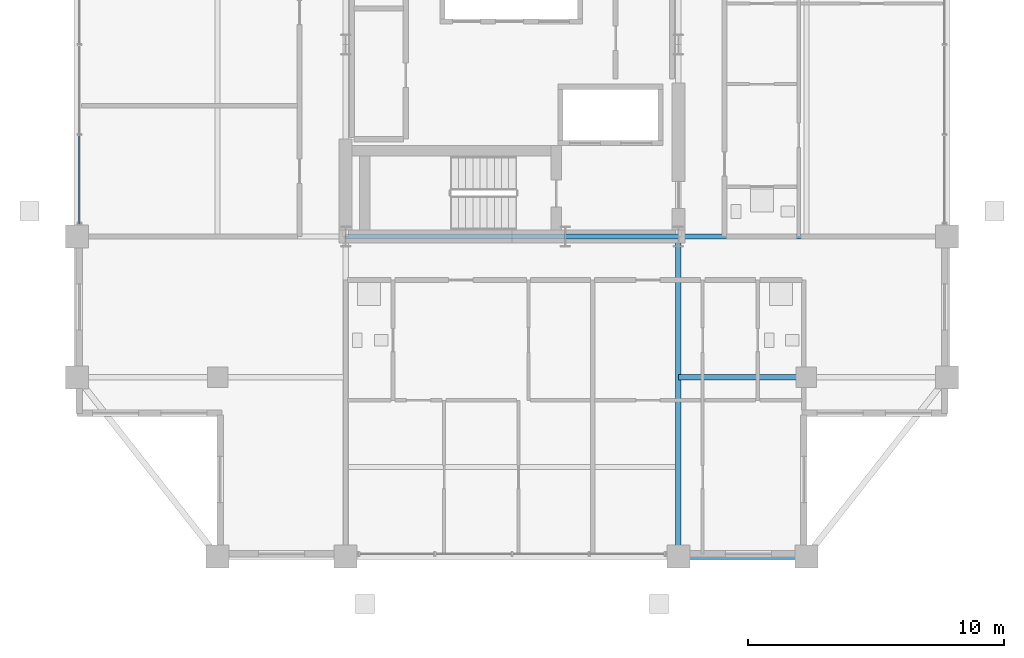
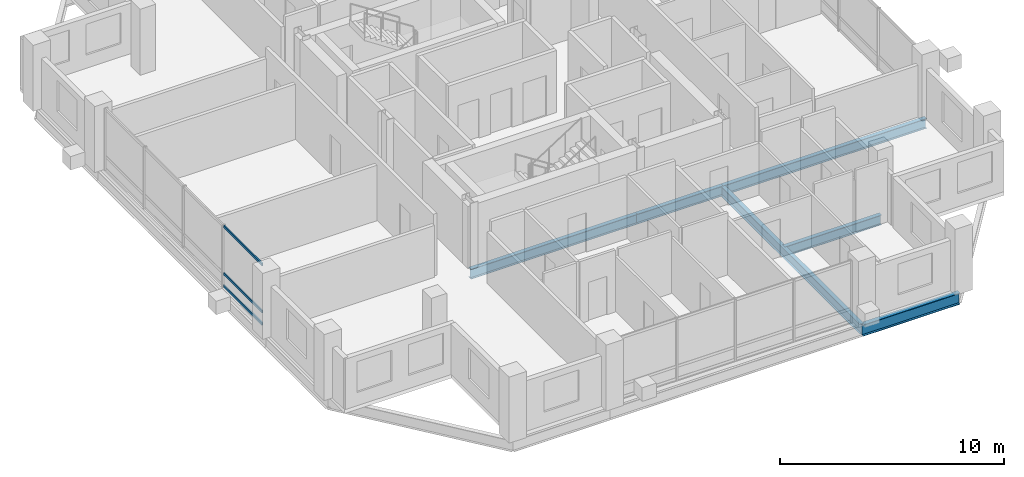
# One storey, part 5 of 21: 6 beams, 3 members, 1 element without a shape of its own.
"""IFC4 building model written with IfcOpenShell, lengths in metres."""

import ifcopenshell
import ifcopenshell.guid

model = None  # the IFC model being written
_history = None  # IfcOwnerHistory: only IFC2X3 demands one
_inside = {}  # id of a spatial element -> (the spatial element, [elements in it])
_under = {}  # id of a project, library or spatial element -> (it, [spatial elements below it])
_declared = {}  # id of a project -> (the project, [libraries it declares])
_typed = {}  # id of a type object -> (the type object, [elements of that type])
_made_of = {}  # id of a material, layer set ... -> (it, [elements and type objects made of it])


def new_model(schema):
    """Start an empty IFC model of exactly this schema.

    Asked for "IFC4X3", IfcOpenShell would pick the latest addendum, in which some entities
    have other attributes; the version numbers below select the first issue.
    IFC2X3 requires an IfcOwnerHistory on every rooted entity: one is made here for all.
    """
    global model, _history
    if schema == "IFC4X3":
        model = ifcopenshell.file(schema_version=(4, 3, 0, 0))
    else:
        model = ifcopenshell.file(schema=schema)
    _inside.clear()
    _under.clear()
    _declared.clear()
    _typed.clear()
    _made_of.clear()
    _history = None
    if model.schema == "IFC2X3":
        org = make("IfcOrganization", Name="unknown")
        user = make(
            "IfcPersonAndOrganization",
            ThePerson=make("IfcPerson", FamilyName="unknown"),
            TheOrganization=org,
        )
        app = make(
            "IfcApplication",
            ApplicationDeveloper=org,
            Version="unknown",
            ApplicationFullName="unknown",
            ApplicationIdentifier="unknown",
        )
        _history = make(
            "IfcOwnerHistory",
            OwningUser=user,
            OwningApplication=app,
            ChangeAction="ADDED",
            CreationDate=0,
        )
    return model


def make(cls, **values):
    """One entity of the class cls with the attributes given. An attribute that is None is left unset."""
    return model.create_entity(
        cls, **{name: value for name, value in values.items() if value is not None}
    )


def rooted(cls, **values):
    """An entity with a GlobalId (a new one), such as an element, a storey or a relation."""
    return make(cls, GlobalId=ifcopenshell.guid.new(), OwnerHistory=_history, **values)


def si_unit(unit_type, name, prefix=None):
    """IfcSIUnit, for example si_unit("LENGTHUNIT", "METRE", prefix="MILLI")."""
    return make("IfcSIUnit", UnitType=unit_type, Prefix=prefix, Name=name)


def assignment(units):
    """IfcUnitAssignment: the units of a project."""
    return None if units is None else make("IfcUnitAssignment", Units=units)


def point(xyz):
    """IfcCartesianPoint."""
    return None if xyz is None else make("IfcCartesianPoint", Coordinates=xyz)


def direction(xyz):
    """IfcDirection."""
    return None if xyz is None else make("IfcDirection", DirectionRatios=xyz)


def frame(location, z_axis=None, x_axis=None):
    """IfcAxis2Placement3D, a coordinate frame: its origin and axes. An axis left out is left unset."""
    return make(
        "IfcAxis2Placement3D",
        Location=point(location),
        Axis=direction(z_axis),
        RefDirection=direction(x_axis),
    )


def frame_2d(location, x_axis=None):
    """IfcAxis2Placement2D, a coordinate frame in the plane: its origin and x axis."""
    return make(
        "IfcAxis2Placement2D", Location=point(location), RefDirection=direction(x_axis)
    )


def origin():
    """The frame at (0, 0, 0) with its axes left unset."""
    return frame((0.0, 0.0, 0.0))


def origin_2d():
    """The frame at (0, 0) in the plane with its x axis left unset."""
    return frame_2d((0.0, 0.0))


def place(relative_to, where):
    """IfcLocalPlacement: puts the frame where relative to a parent placement (None: the world)."""
    return make(
        "IfcLocalPlacement", PlacementRelTo=relative_to, RelativePlacement=where
    )


def context(
    kind, dimensions, precision=None, world=None, true_north=None, identifier=None
):
    """IfcGeometricRepresentationContext, for example the 3D "Model" context."""
    return make(
        "IfcGeometricRepresentationContext",
        ContextIdentifier=identifier,
        ContextType=kind,
        CoordinateSpaceDimension=dimensions,
        Precision=precision,
        WorldCoordinateSystem=world,
        TrueNorth=true_north,
    )


def subcontext(parent, identifier, kind, view, scale=None):
    """IfcGeometricRepresentationSubContext, for example "Body" below "Model"."""
    return make(
        "IfcGeometricRepresentationSubContext",
        ContextIdentifier=identifier,
        ContextType=kind,
        ParentContext=parent,
        TargetScale=scale,
        TargetView=view,
    )


def project(units=None, contexts=None):
    """IfcProject with its units and contexts."""
    return rooted(
        "IfcProject",
        Name="project",
        RepresentationContexts=contexts,
        UnitsInContext=assignment(units),
    )


def spatial(cls, under=None, at=None, **own):
    """A site, building, storey or space (cls), placed at a placement, below another one or the project."""
    s = rooted(cls, ObjectPlacement=at, **own)
    if under is not None:
        _under.setdefault(under.id(), (under, []))[1].append(s)
    return s


def profile(cls, at=None, kind="AREA", **sizes):
    """A parametric profile (cls). Its sizes go by their IFC names, for example OverallWidth=200.0."""
    return make(cls, ProfileType=kind, Position=at, **sizes)


def hollow_rectangle(**sizes):
    """IfcRectangleHollowProfileDef."""
    return profile("IfcRectangleHollowProfileDef", **sizes)


def i_section(**sizes):
    """IfcIShapeProfileDef."""
    return profile("IfcIShapeProfileDef", **sizes)


def extrude(swept, where, along, depth):
    """IfcExtrudedAreaSolid: the profile swept, set in the frame where, extruded along a direction by depth."""
    return make(
        "IfcExtrudedAreaSolid",
        SweptArea=swept,
        Position=where,
        ExtrudedDirection=direction(along),
        Depth=depth,
    )


def shape(context_of_items, identifier, shape_type, items):
    """IfcShapeRepresentation: the items that make up one representation, for example the "Body"."""
    return make(
        "IfcShapeRepresentation",
        ContextOfItems=context_of_items,
        RepresentationIdentifier=identifier,
        RepresentationType=shape_type,
        Items=items,
    )


def material(Name=None, Category=None):
    """IfcMaterial."""
    return make("IfcMaterial", Name=Name, Category=Category)


def layer(
    of_material, thickness, ventilated=None, Name=None, Category=None, Priority=None
):
    """IfcMaterialLayer: one layer of a wall or slab, of a material (None: an air gap)."""
    return make(
        "IfcMaterialLayer",
        Material=of_material,
        LayerThickness=thickness,
        IsVentilated=ventilated,
        Name=Name,
        Category=Category,
        Priority=Priority,
    )


def layer_set(layers, Name=None):
    """IfcMaterialLayerSet."""
    return make("IfcMaterialLayerSet", MaterialLayers=layers, LayerSetName=Name)


def material_profile(
    of_material, cross_section, Name=None, Category=None, Priority=None
):
    """IfcMaterialProfile: a cross section and its material."""
    return make(
        "IfcMaterialProfile",
        Name=Name,
        Material=of_material,
        Profile=cross_section,
        Priority=Priority,
        Category=Category,
    )


def profile_set(profiles, Name=None, composite=None):
    """IfcMaterialProfileSet."""
    return make(
        "IfcMaterialProfileSet",
        Name=Name,
        MaterialProfiles=profiles,
        CompositeProfile=composite,
    )


def made_of(thing, what):
    """Note that an element or type object is made of a material, layer set ...; save() writes the relation."""
    if what is not None:
        _made_of.setdefault(what.id(), (what, []))[1].append(thing)
    return thing


def type_object(cls, material=None, **own):
    """A type object (cls), such as IfcWallType, which elements share."""
    return made_of(rooted(cls, **own), material)


def element(
    cls,
    number,
    at=None,
    inside=None,
    cuts=None,
    type_object=None,
    material=None,
    context=None,
    identifier="Body",
    shape_type=None,
    held_by="IfcProductDefinitionShape",
    body=None,
    shapes=None,
    **own,
):
    """One element of the class cls, such as IfcWall. Its Tag is "e" and its number.

    at: its placement. inside: the storey or other place that contains it. cuts: it is an
    opening in that element (IfcRelVoidsElement). A single representation is given by context,
    identifier, shape_type and body (its items); several are given by shapes. held_by: the class
    of the entity that holds the representations. save() writes the other relations.
    """
    e = rooted(cls, Tag="e%d" % number, ObjectPlacement=at, **own)
    if body is not None:
        shapes = [shape(context, identifier, shape_type, body)]
    if shapes is not None:
        e.Representation = make(held_by, Representations=shapes)
    if inside is not None:
        _inside.setdefault(inside.id(), (inside, []))[1].append(e)
    if cuts is not None:
        rooted(
            "IfcRelVoidsElement", RelatingBuildingElement=cuts, RelatedOpeningElement=e
        )
    if type_object is not None:
        _typed.setdefault(type_object.id(), (type_object, []))[1].append(e)
    return made_of(e, material)


def aggregate(whole, parts):
    """IfcRelAggregates: a whole, such as a stair, and the parts it consists of."""
    return rooted("IfcRelAggregates", RelatingObject=whole, RelatedObjects=parts)


def save(model, path):
    """Write the relations noted so far, then the file.

    IfcRelAggregates (storeys below a building ...), IfcRelContainedInSpatialStructure (elements
    in a storey), IfcRelDefinesByType, IfcRelAssociatesMaterial and IfcRelDeclares: one each for
    every whole, place, type object, material and project.
    """
    for whole, parts in _under.values():
        aggregate(whole, parts)
    for where, things in _inside.values():
        rooted(
            "IfcRelContainedInSpatialStructure",
            RelatedElements=things,
            RelatingStructure=where,
        )
    for kind, things in _typed.values():
        rooted("IfcRelDefinesByType", RelatedObjects=things, RelatingType=kind)
    for what, things in _made_of.values():
        rooted("IfcRelAssociatesMaterial", RelatedObjects=things, RelatingMaterial=what)
    for by, libraries in _declared.values():
        rooted("IfcRelDeclares", RelatingContext=by, RelatedDefinitions=libraries)
    model.write(path)


model = new_model("IFC4")

# Units and contexts
model_context = context("Model", 3, precision=1e-05, world=origin(), true_north=direction((0.0, 1.0)))
body_context = subcontext(model_context, "Body", "Model", "MODEL_VIEW")
ifc_project = project(units=[si_unit("LENGTHUNIT", "METRE"), si_unit("AREAUNIT", "SQUARE_METRE"), si_unit("VOLUMEUNIT", "CUBIC_METRE"), si_unit("PLANEANGLEUNIT", "RADIAN"), si_unit("MASSUNIT", "GRAM", prefix="KILO")], contexts=[model_context])

# Site, building, storey
site_placement = place(None, origin())
site = spatial("IfcSite", under=ifc_project, at=site_placement, CompositionType="ELEMENT")
building_placement = place(site_placement, origin())
building = spatial("IfcBuilding", under=site, at=building_placement, Name="Barlavira Tower and Art Museum", CompositionType="ELEMENT")
storey_placement = place(building_placement, frame((0.0, 0.0, 233.10009765625)))
storey = spatial("IfcBuildingStorey", under=building, at=storey_placement, Name="L60", CompositionType="ELEMENT", Elevation=233.10009765625)

# Curtain wall, members
ifc_material_1 = material(Name="Low-iron coastal laminated glass", Category="glass")
ifc_layer = layer(ifc_material_1, 0.2099609375, Name="Low-iron coastal laminated glass")
ifc_layer_set = layer_set([ifc_layer], Name="Low-iron coastal laminated glass")
curtain_wall_type = type_object("IfcCurtainWallType", Name="Pale-Metal Unitised Curtain Wall Zone 4", PredefinedType="NOTDEFINED", material=ifc_layer_set)
curtain_wall_placement = place(storey_placement, origin())
curtain_wall = element("IfcCurtainWall", 1, at=curtain_wall_placement, inside=storey, type_object=curtain_wall_type, Name="L60 Curtain Wall CW4-L60-W-B3", PredefinedType="NOTDEFINED")
ifc_material_2 = material(Name="Pale anodised aluminium", Category="aluminium")
ifc_material_profile_1 = material_profile(ifc_material_2, hollow_rectangle(XDim=0.06494140625, YDim=0.139892578125, WallThickness=0.00390625, at=origin_2d()), Name="ALU-TRAN 65x140x4")
ifc_profile_set_1 = profile_set([ifc_material_profile_1], Name="Pale anodised aluminium")
member_type = type_object("IfcMemberType", Name="Curtain Wall Pale-Metal Transom 65x140", PredefinedType="USERDEFINED", material=ifc_profile_set_1)
member_1_placement = place(storey_placement, frame((-16.89990234375, -3.56005859375, 0.06982421875), z_axis=(0.0, -1.0, 0.0), x_axis=(1.0, 0.0, 0.0)))
member_1 = element("IfcMember", 2, at=member_1_placement, type_object=member_type, Name="CW4-L60-W-B3 Transom 3.1", ObjectType="TRANSOM", PredefinedType="USERDEFINED", context=body_context, shape_type="SweptSolid", body=[
    extrude(hollow_rectangle(XDim=0.06494140625, YDim=0.139892578125, WallThickness=0.00390625, at=origin_2d()), origin(), (0.0, 0.0, 1.0), 3.425048828125),
])
member_2_placement = place(storey_placement, frame((-16.89990234375, -3.56005859375, 0.743896484375), z_axis=(0.0, -1.0, 0.0), x_axis=(1.0, 0.0, 0.0)))
member_2 = element("IfcMember", 3, at=member_2_placement, type_object=member_type, Name="CW4-L60-W-B3 Transom 3.2", ObjectType="TRANSOM", PredefinedType="USERDEFINED", context=body_context, shape_type="SweptSolid", body=[
    extrude(hollow_rectangle(XDim=0.06494140625, YDim=0.139892578125, WallThickness=0.00390625, at=origin_2d()), origin(), (0.0, 0.0, 1.0), 3.425048828125),
])
member_3_placement = place(storey_placement, frame((-16.89990234375, -3.56005859375, 3.309814453125), z_axis=(0.0, -1.0, 0.0), x_axis=(1.0, 0.0, 0.0)))
member_3 = element("IfcMember", 4, at=member_3_placement, type_object=member_type, Name="CW4-L60-W-B3 Transom 3.3", ObjectType="TRANSOM", PredefinedType="USERDEFINED", context=body_context, shape_type="SweptSolid", body=[
    extrude(hollow_rectangle(XDim=0.06494140625, YDim=0.139892578125, WallThickness=0.00390625, at=origin_2d()), origin(), (0.0, 0.0, 1.0), 3.425048828125),
])
aggregate(curtain_wall, [member_1, member_2, member_3])

# Beams
ifc_material_3 = material(Name="Steel S355", Category="steel")
ifc_material_profile_2 = material_profile(ifc_material_3, i_section(OverallWidth=0.22998046875, OverallDepth=0.616943359375, WebThickness=0.01318359375, FlangeThickness=0.022216796875, at=origin_2d()), Name="W610x140.0")
ifc_profile_set_2 = profile_set([ifc_material_profile_2], Name="Steel S355")
beam_type_1 = type_object("IfcBeamType", Name="Upper Shaft Spandrel Edge Beam W610x140 Steel S355", PredefinedType="SPANDREL", material=ifc_profile_set_2)
beam_1_placement = place(storey_placement, frame((6.5, -20.0, -0.528564453125), z_axis=(1.0, 0.0, 0.0), x_axis=(0.0, 1.0, 0.0)))
element("IfcBeam", 5, at=beam_1_placement, inside=storey, type_object=beam_type_1, Name="L60 Spandrel 3", PredefinedType="SPANDREL", context=body_context, shape_type="SweptSolid", body=[
    extrude(i_section(OverallWidth=0.22998046875, OverallDepth=0.616943359375, WebThickness=0.01318359375, FlangeThickness=0.022216796875, at=origin_2d()), origin(), (0.0, 0.0, 1.0), 5.0),
])
ifc_material_profile_3 = material_profile(ifc_material_3, i_section(OverallWidth=0.2109375, OverallDepth=0.5390625, WebThickness=0.01171875, FlangeThickness=0.018798828125, at=origin_2d()), Name="W530x109.0")
ifc_profile_set_3 = profile_set([ifc_material_profile_3], Name="Steel S355")
beam_type_2 = type_object("IfcBeamType", Name="Zone 3-4 Primary Floor Girder W530x109 Steel S355", PredefinedType="BEAM", material=ifc_profile_set_3)
beam_2_placement = place(storey_placement, frame((-6.5, -7.5, -0.489501953125), z_axis=(1.0, 0.0, 0.0), x_axis=(0.0, 1.0, 0.0)))
element("IfcBeam", 6, at=beam_2_placement, inside=storey, type_object=beam_type_2, Name="L60 Girder C-S1", PredefinedType="BEAM", context=body_context, shape_type="SweptSolid", body=[
    extrude(i_section(OverallWidth=0.2109375, OverallDepth=0.5390625, WebThickness=0.01171875, FlangeThickness=0.018798828125, at=origin_2d()), origin(), (0.0, 0.0, 1.0), 8.580078125),
])
beam_3_placement = place(storey_placement, frame((2.080078125, -7.5, -0.489501953125), z_axis=(1.0, 0.0, 0.0), x_axis=(0.0, 1.0, 0.0)))
element("IfcBeam", 7, at=beam_3_placement, inside=storey, type_object=beam_type_2, Name="L60 Girder C-S2", PredefinedType="BEAM", context=body_context, shape_type="SweptSolid", body=[
    extrude(i_section(OverallWidth=0.2109375, OverallDepth=0.5390625, WebThickness=0.01171875, FlangeThickness=0.018798828125, at=origin_2d()), origin(), (0.0, 0.0, 1.0), 4.419921875),
])
beam_4_placement = place(storey_placement, frame((6.5, -20.0, -0.489501953125), z_axis=(0.0, 1.0, 0.0), x_axis=(-1.0, 0.0, 0.0)))
element("IfcBeam", 8, at=beam_4_placement, inside=storey, type_object=beam_type_2, Name="L60 Girder R-S2", PredefinedType="BEAM", context=body_context, shape_type="SweptSolid", body=[
    extrude(i_section(OverallWidth=0.2109375, OverallDepth=0.5390625, WebThickness=0.01171875, FlangeThickness=0.018798828125, at=origin_2d()), origin(), (0.0, 0.0, 1.0), 12.5),
])
beam_5_placement = place(storey_placement, frame((6.5, -7.5, -0.489501953125), z_axis=(1.0, 0.0, 0.0), x_axis=(0.0, 1.0, 0.0)))
element("IfcBeam", 9, at=beam_5_placement, inside=storey, type_object=beam_type_2, Name="L60 Girder R-E1", PredefinedType="BEAM", context=body_context, shape_type="SweptSolid", body=[
    extrude(i_section(OverallWidth=0.2109375, OverallDepth=0.5390625, WebThickness=0.01171875, FlangeThickness=0.018798828125, at=origin_2d()), origin(), (0.0, 0.0, 1.0), 10.5),
])
beam_6_placement = place(storey_placement, frame((6.5, -13.0, -0.489501953125), z_axis=(1.0, 0.0, 0.0), x_axis=(0.0, 1.0, 0.0)))
element("IfcBeam", 10, at=beam_6_placement, inside=storey, type_object=beam_type_2, Name="L60 Girder I-S3", PredefinedType="BEAM", context=body_context, shape_type="SweptSolid", body=[
    extrude(i_section(OverallWidth=0.2109375, OverallDepth=0.5390625, WebThickness=0.01171875, FlangeThickness=0.018798828125, at=origin_2d()), origin(), (0.0, 0.0, 1.0), 5.0),
])

save(model, "model.ifc")
